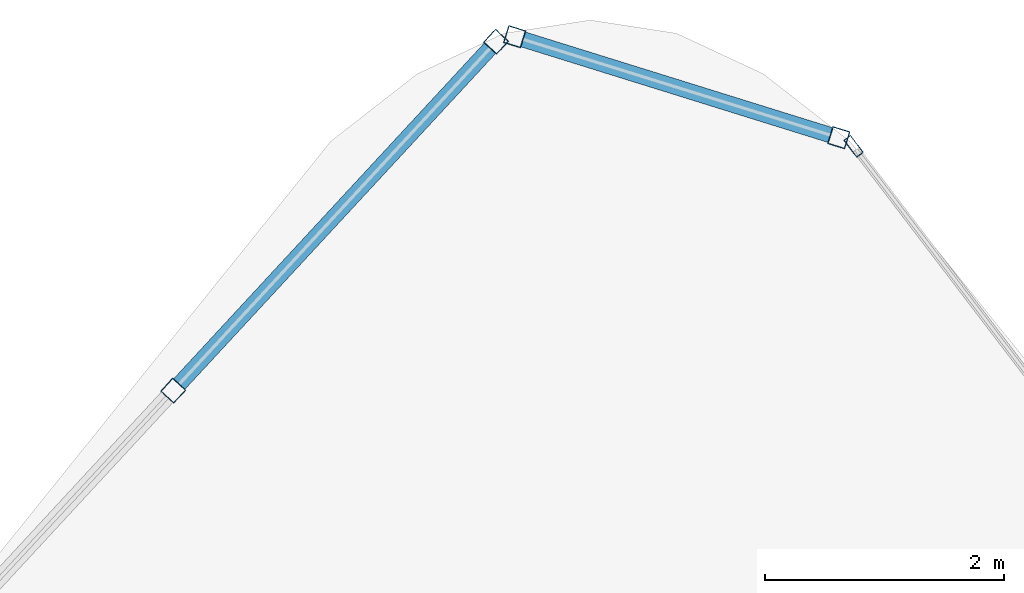
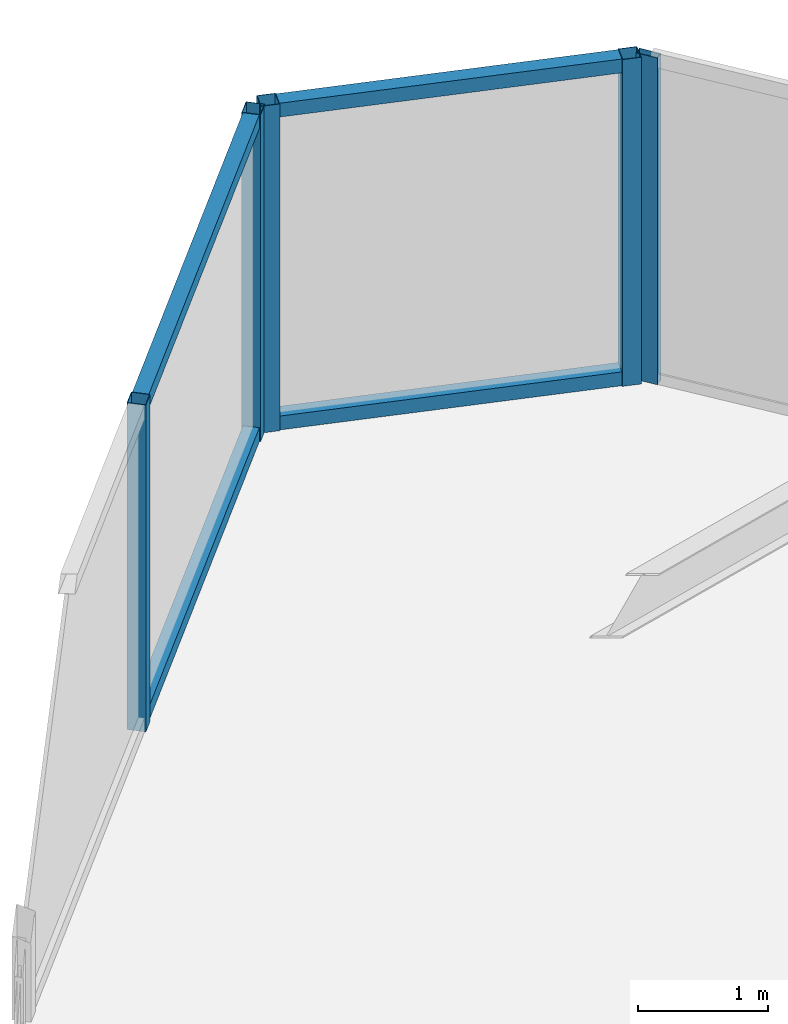
# One storey, part 25 of 35: 9 members, 3 elements without a shape of their own.
"""IFC4 building model written with IfcOpenShell, lengths in metres."""

from ifc_helpers import new_model, si_unit, direction, frame, origin, origin_2d, place, context, subcontext, project, spatial, hollow_rectangle, extrude, material, layer, layer_set, material_profile, profile_set, type_object, element, aggregate, save


model = new_model("IFC4")

# Units and contexts
model_context = context("Model", 3, precision=1e-05, world=origin(), true_north=direction((0.0, 1.0)))
body_context = subcontext(model_context, "Body", "Model", "MODEL_VIEW")
ifc_project = project(units=[si_unit("LENGTHUNIT", "METRE"), si_unit("AREAUNIT", "SQUARE_METRE"), si_unit("VOLUMEUNIT", "CUBIC_METRE"), si_unit("PLANEANGLEUNIT", "RADIAN"), si_unit("MASSUNIT", "GRAM", prefix="KILO")], contexts=[model_context])

# Site, building, storey
site_placement = place(None, origin())
site = spatial("IfcSite", under=ifc_project, at=site_placement, CompositionType="ELEMENT")
building_placement = place(site_placement, origin())
building = spatial("IfcBuilding", under=site, at=building_placement, Name="Orvanel Arch Residences", CompositionType="ELEMENT")
storey_placement = place(building_placement, frame((0.0, 0.0, 36.800048828125)))
storey = spatial("IfcBuildingStorey", under=building, at=storey_placement, Name="L09", CompositionType="ELEMENT", Elevation=36.800048828125)

# Curtain wall, members
ifc_material = material(Name="Bronze-anodised aluminium AA6063-T6", Category="aluminium")
ifc_layer_1 = layer(ifc_material, 0.18994140625)
ifc_layer_set_1 = layer_set([ifc_layer_1], Name="Bronze-anodised aluminium AA6063-T6")
curtain_wall_type_1 = type_object("IfcCurtainWallType", Name="CW5-CRN-SYS", PredefinedType="NOTDEFINED", material=ifc_layer_set_1)
curtain_wall_1_placement = place(storey_placement, origin())
curtain_wall_1 = element("IfcCurtainWall", 1, at=curtain_wall_1_placement, inside=storey, type_object=curtain_wall_type_1, Name="L09 CW5-CRN-SYS Unitised Curtain Wall", PredefinedType="NOTDEFINED")
ifc_material_profile_1 = material_profile(ifc_material, hollow_rectangle(XDim=0.14990234375, YDim=0.14990234375, WallThickness=0.0048828125, at=origin_2d()), Name="ALU150x150x5")
ifc_profile_set_1 = profile_set([ifc_material_profile_1], Name="Bronze-anodised aluminium AA6063-T6")
member_type_1 = type_object("IfcMemberType", Name="MUL-150x150", PredefinedType="MULLION", material=ifc_profile_set_1)
member_1_placement = place(storey_placement, frame((35.081298828125, 51.486328125, 0.0), z_axis=(0.0, 0.0, 1.0), x_axis=(-0.297323751443, -0.954776720929, 0.0)))
member_1 = element("IfcMember", 2, at=member_1_placement, type_object=member_type_1, Name="CW-S5 mullion 1", PredefinedType="MULLION", context=body_context, shape_type="SweptSolid", body=[
    extrude(hollow_rectangle(XDim=0.14990234375, YDim=0.14990234375, WallThickness=0.0048828125, at=origin_2d()), origin(), (0.0, 0.0, 1.0), 3.06005859375),
])
member_2_placement = place(storey_placement, frame((32.36669921875, 52.331787109375, 0.0), z_axis=(0.0, 0.0, 1.0), x_axis=(-0.297323751443, -0.954776720929, 0.0)))
member_2 = element("IfcMember", 3, at=member_2_placement, type_object=member_type_1, Name="CW-S5 mullion 2", PredefinedType="MULLION", context=body_context, shape_type="SweptSolid", body=[
    extrude(hollow_rectangle(XDim=0.14990234375, YDim=0.14990234375, WallThickness=0.0048828125, at=origin_2d()), origin(), (0.0, 0.0, 1.0), 3.06005859375),
])

curtain_wall_2_placement = place(storey_placement, origin())
curtain_wall_2 = element("IfcCurtainWall", 4, at=curtain_wall_2_placement, inside=storey, type_object=curtain_wall_type_1, Name="L09 CW5-CRN-SYS Unitised Curtain Wall", PredefinedType="NOTDEFINED")
member_3_placement = place(storey_placement, frame((32.211181640625, 52.2900390625, 0.0), z_axis=(0.0, 0.0, 1.0), x_axis=(0.734004180621, -0.679144949794, 0.0)))
member_3 = element("IfcMember", 5, at=member_3_placement, type_object=member_type_1, Name="CW-S5 mullion 1", PredefinedType="MULLION", context=body_context, shape_type="SweptSolid", body=[
    extrude(hollow_rectangle(XDim=0.14990234375, YDim=0.14990234375, WallThickness=0.0048828125, at=origin_2d()), origin(), (0.0, 0.0, 1.0), 3.06005859375),
])
member_4_placement = place(storey_placement, frame((29.507568359375, 49.367919921875, 0.0), z_axis=(0.0, 0.0, 1.0), x_axis=(0.734004180621, -0.679144949794, 0.0)))
member_4 = element("IfcMember", 6, at=member_4_placement, type_object=member_type_1, Name="CW-S5 mullion 2", PredefinedType="MULLION", context=body_context, shape_type="SweptSolid", body=[
    extrude(hollow_rectangle(XDim=0.14990234375, YDim=0.14990234375, WallThickness=0.0048828125, at=origin_2d()), origin(), (0.0, 0.0, 1.0), 3.06005859375),
])

# Curtain wall, member
ifc_layer_2 = layer(ifc_material, 0.179931640625)
ifc_layer_set_2 = layer_set([ifc_layer_2], Name="Bronze-anodised aluminium AA6063-T6")
curtain_wall_type_2 = type_object("IfcCurtainWallType", Name="CW2-LOW-SYS", PredefinedType="NOTDEFINED", material=ifc_layer_set_2)
curtain_wall_3_placement = place(storey_placement, origin())
curtain_wall_3 = element("IfcCurtainWall", 7, at=curtain_wall_3_placement, inside=storey, type_object=curtain_wall_type_2, Name="L09 CW2-LOW-SYS Unitised Curtain Wall", PredefinedType="NOTDEFINED")
ifc_material_profile_2 = material_profile(ifc_material, hollow_rectangle(XDim=0.070068359375, YDim=0.179931640625, WallThickness=0.00439453125, at=origin_2d()), Name="ALU180x70x4.5")
ifc_profile_set_2 = profile_set([ifc_material_profile_2], Name="Bronze-anodised aluminium AA6063-T6")
member_type_2 = type_object("IfcMemberType", Name="MUL-180x70", PredefinedType="MULLION", material=ifc_profile_set_2)
member_5_placement = place(storey_placement, frame((35.205322265625, 51.4140625, 0.0), z_axis=(0.0, 0.0, 1.0), x_axis=(-0.795451769988, -0.606016898793, 0.0)))
member_5 = element("IfcMember", 8, at=member_5_placement, type_object=member_type_2, Name="CW-S2 mullion 4", PredefinedType="MULLION", context=body_context, shape_type="SweptSolid", body=[
    extrude(hollow_rectangle(XDim=0.070068359375, YDim=0.179931640625, WallThickness=0.00439453125, at=origin_2d()), origin(), (0.0, 0.0, 1.0), 3.06005859375),
])
aggregate(curtain_wall_3, [member_5])

# Member
ifc_material_profile_3 = material_profile(ifc_material, hollow_rectangle(XDim=0.1298828125, YDim=0.1298828125, WallThickness=0.00439453125, at=origin_2d()), Name="ALU130x130x4.5")
ifc_profile_set_3 = profile_set([ifc_material_profile_3], Name="Bronze-anodised aluminium AA6063-T6")
member_type_3 = type_object("IfcMemberType", Name="TRN-130x130", PredefinedType="USERDEFINED", material=ifc_profile_set_3)
member_6_placement = place(storey_placement, frame((35.009765625, 51.508544921875, 0.06494140625), z_axis=(-0.954777891398, 0.297319992764, 0.0), x_axis=(-0.297319992764, -0.954777891398, 0.0)))
member_6 = element("IfcMember", 9, at=member_6_placement, type_object=member_type_3, Name="CW-S5 transom 1.1", ObjectType="TRANSOM", PredefinedType="USERDEFINED", context=body_context, shape_type="SweptSolid", body=[
    extrude(hollow_rectangle(XDim=0.1298828125, YDim=0.1298828125, WallThickness=0.00439453125, at=origin_2d()), origin(), (0.0, 0.0, 1.0), 2.693359375),
])

member_7_placement = place(storey_placement, frame((35.009765625, 51.508544921875, 2.994873046875), z_axis=(-0.954777891398, 0.297319992764, 0.0), x_axis=(-0.297319992764, -0.954777891398, 0.0)))
member_7 = element("IfcMember", 10, at=member_7_placement, type_object=member_type_3, Name="CW-S5 transom 1.2", ObjectType="TRANSOM", PredefinedType="USERDEFINED", context=body_context, shape_type="SweptSolid", body=[
    extrude(hollow_rectangle(XDim=0.1298828125, YDim=0.1298828125, WallThickness=0.00439453125, at=origin_2d()), origin(), (0.0, 0.0, 1.0), 2.693359375),
])

aggregate(curtain_wall_1, [member_1, member_2, member_6, member_7])

member_8_placement = place(storey_placement, frame((32.16015625, 52.23486328125, 0.06494140625), z_axis=(-0.679171620665, -0.733979502223, 0.0), x_axis=(0.733979502223, -0.679171620665, 0.0)))
member_8 = element("IfcMember", 11, at=member_8_placement, type_object=member_type_3, Name="CW-S5 transom 1.1", ObjectType="TRANSOM", PredefinedType="USERDEFINED", context=body_context, shape_type="SweptSolid", body=[
    extrude(hollow_rectangle(XDim=0.1298828125, YDim=0.1298828125, WallThickness=0.00439453125, at=origin_2d()), origin(), (0.0, 0.0, 1.0), 3.830810546875),
])

member_9_placement = place(storey_placement, frame((32.16015625, 52.23486328125, 2.994873046875), z_axis=(-0.679171620665, -0.733979502223, 0.0), x_axis=(0.733979502223, -0.679171620665, 0.0)))
member_9 = element("IfcMember", 12, at=member_9_placement, type_object=member_type_3, Name="CW-S5 transom 1.2", ObjectType="TRANSOM", PredefinedType="USERDEFINED", context=body_context, shape_type="SweptSolid", body=[
    extrude(hollow_rectangle(XDim=0.1298828125, YDim=0.1298828125, WallThickness=0.00439453125, at=origin_2d()), origin(), (0.0, 0.0, 1.0), 3.830810546875),
])

aggregate(curtain_wall_2, [member_3, member_4, member_8, member_9])

save(model, "model.ifc")
